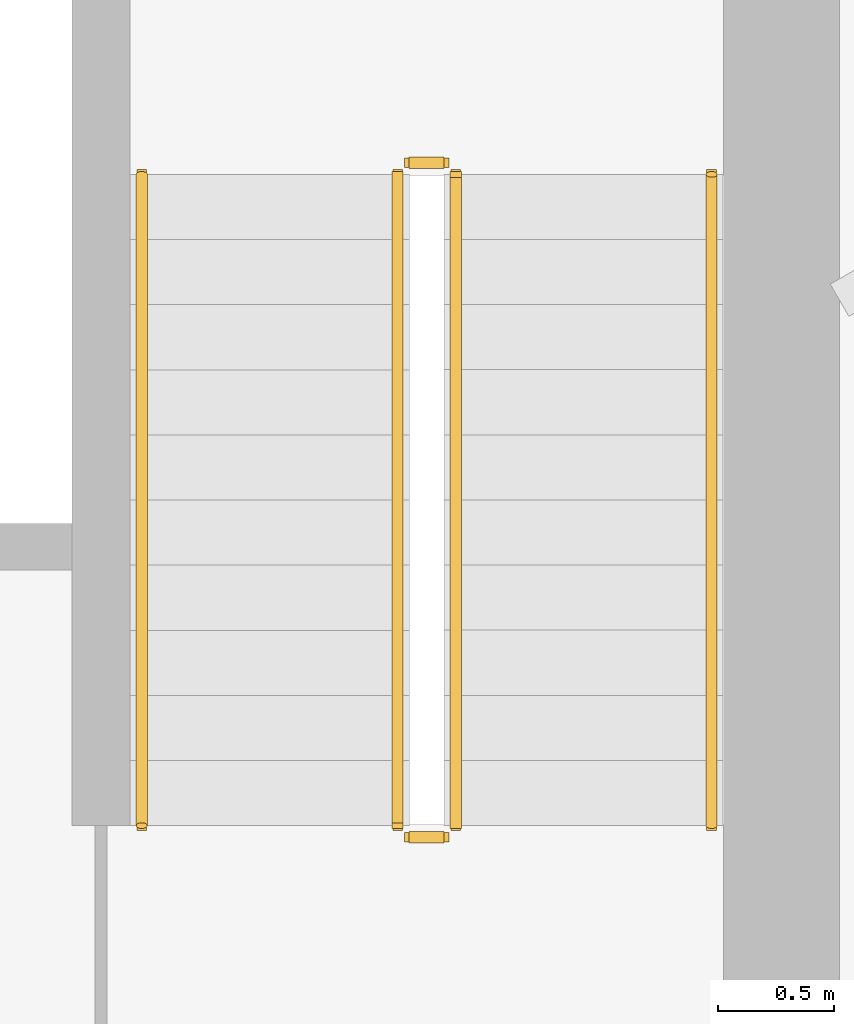
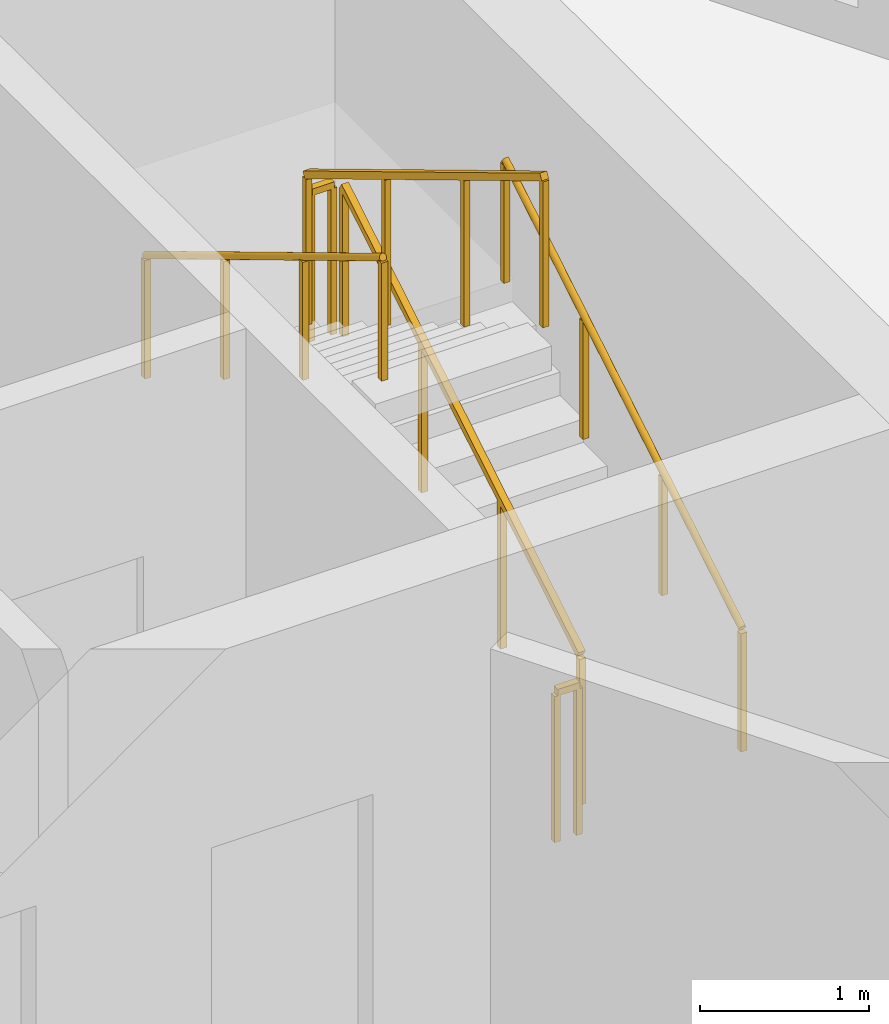
# One storey, part 13 of 13: 6 railings.
"""IFC4 building model written with IfcOpenShell, lengths in metres."""

from ifc_helpers import new_model, si_unit, direction, frame, origin, origin_2d, place, context, subcontext, project, spatial, rectangle, circle, extrude, material, type_object, element, save


model = new_model("IFC4")

# Units and contexts
model_context = context("Model", 3, precision=1e-05, world=origin(), true_north=direction((0.0, 1.0)))
body_context = subcontext(model_context, "Body", "Model", "MODEL_VIEW")
ifc_project = project(units=[si_unit("LENGTHUNIT", "METRE"), si_unit("AREAUNIT", "SQUARE_METRE"), si_unit("VOLUMEUNIT", "CUBIC_METRE"), si_unit("PLANEANGLEUNIT", "RADIAN"), si_unit("MASSUNIT", "GRAM", prefix="KILO")], contexts=[model_context])

# Site, building, storey
site_placement = place(None, origin())
site = spatial("IfcSite", under=ifc_project, at=site_placement, CompositionType="ELEMENT")
building_placement = place(site_placement, origin())
building = spatial("IfcBuilding", under=site, at=building_placement, Name="Apuvela Tower Hotel", CompositionType="ELEMENT")
storey_placement = place(building_placement, frame((0.0, 0.0, 124.199951171875)))
storey = spatial("IfcBuildingStorey", under=building, at=storey_placement, Name="L29", CompositionType="ELEMENT", Elevation=124.199951171875)

# Railings
ifc_material_1 = material(Name="Steel S275 balustrade", Category="steel")
railing_type_1 = type_object("IfcRailingType", Name="COR-GUARD-1100", PredefinedType="GUARDRAIL", material=ifc_material_1)
railing_1_placement = place(storey_placement, frame((3.85009765625, 14.60009765625, 0.168212890625)))
element("IfcRailing", 1, at=railing_1_placement, inside=storey, type_object=railing_type_1, Name="L29 ST1 stair guard 1", PredefinedType="GUARDRAIL", context=body_context, shape_type="SweptSolid", body=[
    extrude(rectangle(XDim=0.048095703125, YDim=0.048095703125, at=origin_2d()), frame((0.0, 0.0, 1.076171875), z_axis=(0.0, 0.857222391501, 0.514946377315), x_axis=(-1.0, 0.0, 0.0)), (0.0, 0.0, 1.0), 3.26611328125),
    extrude(rectangle(XDim=0.0419921875, YDim=0.0419921875, at=origin_2d()), origin(), (0.0, 0.0, 1.0), 1.052001953125),
    extrude(rectangle(XDim=0.0419921875, YDim=0.0419921875, at=origin_2d()), frame((0.0, 0.933349609375, 0.560546875)), (0.0, 0.0, 1.0), 1.052001953125),
    extrude(rectangle(XDim=0.0419921875, YDim=0.0419921875, at=origin_2d()), frame((0.0, 1.866455078125, 1.121337890625)), (0.0, 0.0, 1.0), 1.052001953125),
    extrude(rectangle(XDim=0.0419921875, YDim=0.0419921875, at=origin_2d()), frame((0.0, 2.7998046875, 1.681884765625)), (0.0, 0.0, 1.0), 1.052001953125),
])
railing_2_placement = place(storey_placement, frame((3.800048828125, 17.449951171875, 1.85009765625)))
element("IfcRailing", 2, at=railing_2_placement, inside=storey, type_object=railing_type_1, Name="L29 ST1 stair guard 2", PredefinedType="GUARDRAIL", context=body_context, shape_type="SweptSolid", body=[
    extrude(rectangle(XDim=0.048095703125, YDim=0.048095703125, at=origin_2d()), frame((0.0, 0.0, 1.076171875), z_axis=(-1.0, 0.0, 0.0), x_axis=(0.0, -1.0, 0.0)), (0.0, 0.0, 1.0), 0.150146484375),
    extrude(rectangle(XDim=0.0419921875, YDim=0.0419921875, at=origin_2d()), origin(), (0.0, 0.0, 1.0), 1.052001953125),
    extrude(rectangle(XDim=0.0419921875, YDim=0.0419921875, at=origin_2d()), frame((-0.150146484375, 0.0, 0.0)), (0.0, 0.0, 1.0), 1.052001953125),
])
railing_3_placement = place(storey_placement, frame((3.60009765625, 17.39990234375, 2.018310546875)))
element("IfcRailing", 3, at=railing_3_placement, inside=storey, type_object=railing_type_1, Name="L29 ST1 stair guard 3", PredefinedType="GUARDRAIL", context=body_context, shape_type="SweptSolid", body=[
    extrude(rectangle(XDim=0.048095703125, YDim=0.048095703125, at=origin_2d()), frame((0.0, 0.0, 1.076171875), z_axis=(0.0, -0.857255387014, 0.514891446264), x_axis=(1.0, 0.0, 0.0)), (0.0, 0.0, 1.0), 3.26611328125),
    extrude(rectangle(XDim=0.0419921875, YDim=0.0419921875, at=origin_2d()), origin(), (0.0, 0.0, 1.0), 1.052001953125),
    extrude(rectangle(XDim=0.0419921875, YDim=0.0419921875, at=origin_2d()), frame((0.0, -0.933349609375, 0.560546875)), (0.0, 0.0, 1.0), 1.052001953125),
    extrude(rectangle(XDim=0.0419921875, YDim=0.0419921875, at=origin_2d()), frame((0.0, -1.866455078125, 1.12109375)), (0.0, 0.0, 1.0), 1.052001953125),
    extrude(rectangle(XDim=0.0419921875, YDim=0.0419921875, at=origin_2d()), frame((0.0, -2.7998046875, 1.681640625)), (0.0, 0.0, 1.0), 1.052001953125),
])
railing_4_placement = place(storey_placement, frame((3.800048828125, 14.550048828125, 0.0)))
element("IfcRailing", 4, at=railing_4_placement, inside=storey, type_object=railing_type_1, Name="L29 ST1 stair guard 4", PredefinedType="GUARDRAIL", context=body_context, shape_type="SweptSolid", body=[
    extrude(rectangle(XDim=0.048095703125, YDim=0.048095703125, at=origin_2d()), frame((0.0, 0.0, 1.076171875), z_axis=(-1.0, 0.0, 0.0), x_axis=(0.0, -1.0, 0.0)), (0.0, 0.0, 1.0), 0.150146484375),
    extrude(rectangle(XDim=0.0419921875, YDim=0.0419921875, at=origin_2d()), origin(), (0.0, 0.0, 1.0), 1.052001953125),
    extrude(rectangle(XDim=0.0419921875, YDim=0.0419921875, at=origin_2d()), frame((-0.150146484375, 0.0, 0.0)), (0.0, 0.0, 1.0), 1.052001953125),
])
ifc_material_2 = material(Name="Stainless steel 316 handrail", Category="steel")
railing_type_2 = type_object("IfcRailingType", Name="COR-HANDRAIL-900", PredefinedType="HANDRAIL", material=ifc_material_2)
railing_5_placement = place(storey_placement, frame((4.949951171875, 14.60009765625, 0.168212890625)))
element("IfcRailing", 5, at=railing_5_placement, inside=storey, type_object=railing_type_2, Name="L29 ST1 stair handrail 1", PredefinedType="HANDRAIL", context=body_context, shape_type="SweptSolid", body=[
    extrude(circle(Radius=0.02392578125, at=origin_2d()), frame((0.0, 0.0, 0.8759765625), z_axis=(0.0, 0.857222391501, 0.514946377315), x_axis=(-1.0, 0.0, 0.0)), (0.0, 0.0, 1.0), 3.26611328125),
    extrude(rectangle(XDim=0.0419921875, YDim=0.0419921875, at=origin_2d()), origin(), (0.0, 0.0, 1.0), 0.851806640625),
    extrude(rectangle(XDim=0.0419921875, YDim=0.0419921875, at=origin_2d()), frame((0.0, 0.933349609375, 0.560546875)), (0.0, 0.0, 1.0), 0.851806640625),
    extrude(rectangle(XDim=0.0419921875, YDim=0.0419921875, at=origin_2d()), frame((0.0, 1.866455078125, 1.121337890625)), (0.0, 0.0, 1.0), 0.851806640625),
    extrude(rectangle(XDim=0.0419921875, YDim=0.0419921875, at=origin_2d()), frame((0.0, 2.7998046875, 1.681884765625)), (0.0, 0.0, 1.0), 0.851806640625),
])
railing_6_placement = place(storey_placement, frame((2.5, 17.39990234375, 2.018310546875)))
element("IfcRailing", 6, at=railing_6_placement, inside=storey, type_object=railing_type_2, Name="L29 ST1 stair handrail 2", PredefinedType="HANDRAIL", context=body_context, shape_type="SweptSolid", body=[
    extrude(circle(Radius=0.02392578125, at=origin_2d()), frame((0.0, 0.0, 0.8759765625), z_axis=(0.0, -0.857255387014, 0.514891446264), x_axis=(1.0, 0.0, 0.0)), (0.0, 0.0, 1.0), 3.26611328125),
    extrude(rectangle(XDim=0.0419921875, YDim=0.0419921875, at=origin_2d()), origin(), (0.0, 0.0, 1.0), 0.851806640625),
    extrude(rectangle(XDim=0.0419921875, YDim=0.0419921875, at=origin_2d()), frame((0.0, -0.933349609375, 0.560546875)), (0.0, 0.0, 1.0), 0.851806640625),
    extrude(rectangle(XDim=0.0419921875, YDim=0.0419921875, at=origin_2d()), frame((0.0, -1.866455078125, 1.12109375)), (0.0, 0.0, 1.0), 0.851806640625),
    extrude(rectangle(XDim=0.0419921875, YDim=0.0419921875, at=origin_2d()), frame((0.0, -2.7998046875, 1.681640625)), (0.0, 0.0, 1.0), 0.851806640625),
])

save(model, "model.ifc")
